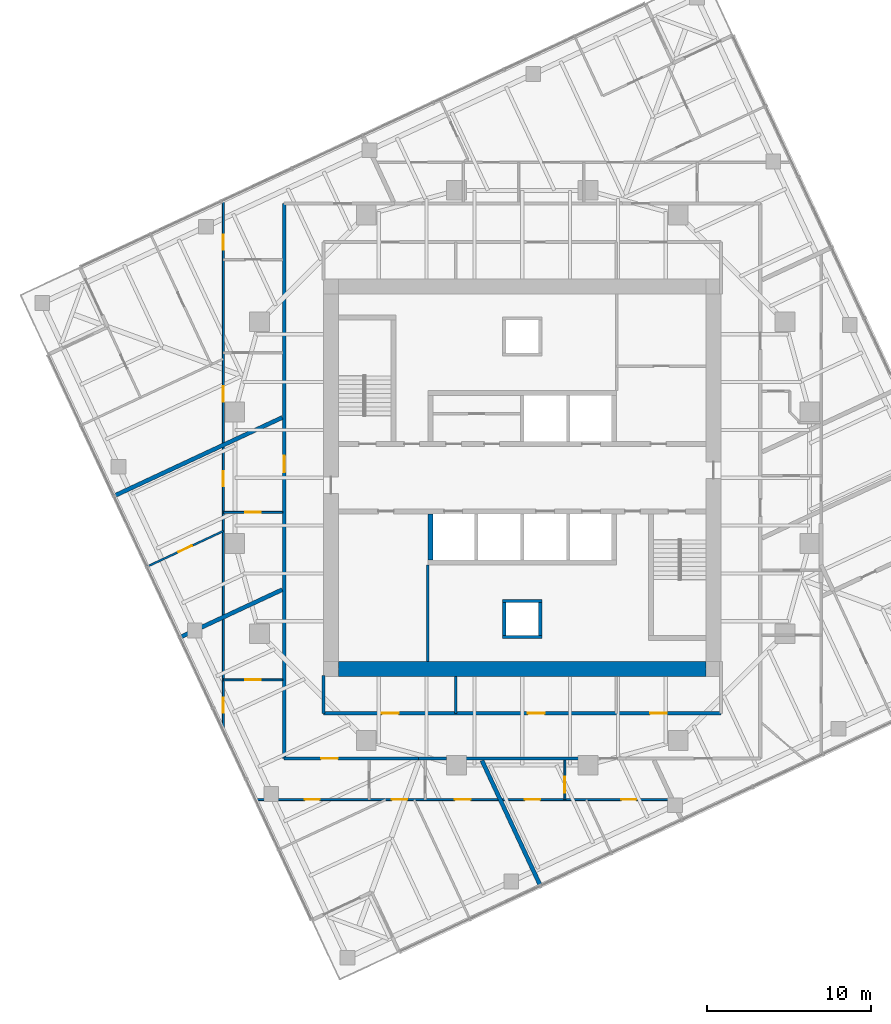
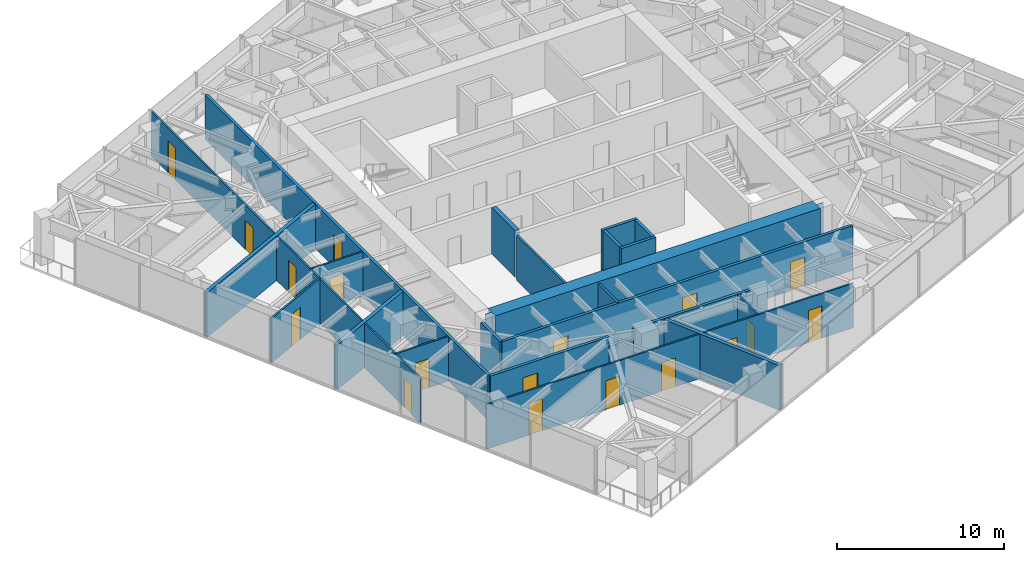
# One storey, part 7 of 13: 23 walls, 18 doors, 18 openings.
"""IFC4 building model written with IfcOpenShell, lengths in metres."""

from ifc_helpers import new_model, si_unit, direction, frame, frame_2d, origin, place, context, subcontext, project, spatial, polyline, rectangle, outline, extrude, material, layer, layer_set, type_object, element, fill, save


model = new_model("IFC4")

# Units and contexts
model_context = context("Model", 3, precision=1e-05, world=origin(), true_north=direction((0.0, 1.0)))
body_context = subcontext(model_context, "Body", "Model", "MODEL_VIEW")
ifc_project = project(units=[si_unit("LENGTHUNIT", "METRE"), si_unit("AREAUNIT", "SQUARE_METRE"), si_unit("VOLUMEUNIT", "CUBIC_METRE"), si_unit("PLANEANGLEUNIT", "RADIAN"), si_unit("MASSUNIT", "GRAM", prefix="KILO")], contexts=[model_context])

# Site, building, storey
site_placement = place(None, origin())
site = spatial("IfcSite", under=ifc_project, at=site_placement, CompositionType="ELEMENT")
building_placement = place(site_placement, origin())
building = spatial("IfcBuilding", under=site, at=building_placement, Name="Torsade Residences", CompositionType="ELEMENT")
storey_placement = place(building_placement, frame((0.0, 0.0, 196.39990234375)))
storey = spatial("IfcBuildingStorey", under=building, at=storey_placement, Name="L54", CompositionType="ELEMENT", Elevation=196.39990234375)

# Walls
ifc_material_1 = material(Name="Concrete 80 MPa", Category="concrete")
ifc_layer_1 = layer(ifc_material_1, 0.300048828125)
ifc_layer_set_1 = layer_set([ifc_layer_1], Name="Concrete 80 MPa")
wall_type_1 = type_object("IfcWallType", Name="CORE INTERNAL WALL 300", PredefinedType="SHEAR", material=ifc_layer_set_1)
wall_1_placement = place(storey_placement, frame((34.39990234375, 27.800048828125, 0.0), z_axis=(0.0, 0.0, 1.0), x_axis=(0.0, -1.0, 0.0)))
element("IfcWall", 1, at=wall_1_placement, inside=storey, type_object=wall_type_1, Name="Core wall DS4 L54", PredefinedType="SHEAR", context=body_context, shape_type="SweptSolid", body=[
    extrude(rectangle(XDim=2.800048828125, YDim=0.300048828125, at=frame_2d((1.39990234375, 0.0))), origin(), (0.0, 0.0, 1.0), 3.400146484375),
])
ifc_material_2 = material(Name="Concrete 80 MPa", Category="concrete")
ifc_layer_2 = layer(ifc_material_2, 0.89990234375)
ifc_layer_set_2 = layer_set([ifc_layer_2], Name="Concrete 80 MPa")
wall_type_2 = type_object("IfcWallType", Name="CORE WALL 900", PredefinedType="SHEAR", material=ifc_layer_set_2)
wall_2_placement = place(storey_placement, frame((51.199951171875, 18.35009765625, 0.0), z_axis=(0.0, 0.0, 1.0), x_axis=(-1.0, 0.0, 0.0)))
element("IfcWall", 2, at=wall_2_placement, inside=storey, type_object=wall_type_2, Name="Core wall S L54", PredefinedType="SHEAR", context=body_context, shape_type="SweptSolid", body=[
    extrude(outline(polyline([(0.0, -0.449951171875), (22.39990234375, -0.449951171875), (22.39990234375, -0.02490234375), (22.849853515625, -0.02490234375), (22.849853515625, 0.02490234375), (22.39990234375, 0.02490234375), (22.39990234375, 0.449951171875), (0.0, 0.449951171875), (0.0, 0.02490234375), (-0.449951171875, 0.02490234375), (-0.449951171875, -0.02490234375), (0.0, -0.02490234375), (0.0, -0.449951171875)])), origin(), (0.0, 0.0, 1.0), 3.400146484375),
])

# Wall, opening, door
ifc_material_3 = material(Name="Plasterboard on steel stud", Category="steel")
ifc_layer_3 = layer(ifc_material_3, 0.199951171875)
ifc_layer_set_3 = layer_set([ifc_layer_3], Name="Plasterboard on steel stud")
wall_type_3 = type_object("IfcWallType", Name="CORRIDOR WALL 200", PredefinedType="PARTITIONING", material=ifc_layer_set_3)
wall_3_placement = place(storey_placement, frame((25.5, 12.89990234375, 0.0), z_axis=(0.0, 0.0, 1.0), x_axis=(1.0, 0.0, 0.0)))
wall_3 = element("IfcWall", 3, at=wall_3_placement, inside=storey, type_object=wall_type_3, Name="Corridor wall L54", PredefinedType="PARTITIONING", context=body_context, shape_type="SweptSolid", body=[
    extrude(rectangle(XDim=8.191650390625, YDim=0.199951171875, at=frame_2d((4.095703125, 0.0))), origin(), (0.0, 0.0, 1.0), 3.25),
])
opening_1_placement = place(wall_3_placement, frame((2.253662109375, 0.0, 0.0)))
opening_1 = element("IfcOpeningElement", 4, at=opening_1_placement, cuts=wall_3, Name="Opening D01", PredefinedType="OPENING", context=body_context, shape_type="SweptSolid", body=[
    extrude(rectangle(XDim=1.02001953125, YDim=2.340087890625, at=frame_2d((0.510009765625, 1.169921875))), frame((0.0, 0.10986328125, 0.0), z_axis=(0.0, -1.0, 0.0), x_axis=(1.0, 0.0, 0.0)), (0.0, 0.0, 1.0), 0.219970703125),
])
ifc_material_4 = material(Name="Solid-core timber fire door", Category="wood")
door_type_1 = type_object("IfcDoorType", Name="APARTMENT ENTRY DOOR 1020x2340", OperationType="NOTDEFINED", PredefinedType="DOOR", material=ifc_material_4)
door_1_placement = place(opening_1_placement, origin())
door_1 = element("IfcDoor", 5, at=door_1_placement, inside=storey, type_object=door_type_1, Name="Door Residential corridor to Kitchen and dining", OperationType="SINGLE_SWING_LEFT", OverallHeight=2.340087890625, OverallWidth=1.02001953125, PredefinedType="DOOR", context=body_context, shape_type="SweptSolid", body=[
    extrude(rectangle(XDim=1.02001953125, YDim=2.340087890625, at=frame_2d((0.510009765625, 1.169921875))), frame((0.0, 0.02490234375, 0.0), z_axis=(0.0, -1.0, 0.0), x_axis=(1.0, 0.0, 0.0)), (0.0, 0.0, 1.0), 0.050048828125),
])
fill(opening_1, door_1)

# Walls
wall_4_placement = place(storey_placement, frame((33.691650390625, 12.89990234375, 0.0), z_axis=(0.0, 0.0, 1.0), x_axis=(1.0, 0.0, 0.0)))
element("IfcWall", 6, at=wall_4_placement, inside=storey, type_object=wall_type_3, Name="Corridor wall L54", PredefinedType="PARTITIONING", context=body_context, shape_type="SweptSolid", body=[
    extrude(rectangle(XDim=1.683349609375, YDim=0.199951171875, at=frame_2d((0.841796875, 0.0))), origin(), (0.0, 0.0, 1.0), 2.550048828125),
])
wall_5_placement = place(storey_placement, frame((35.375, 12.89990234375, 0.0), z_axis=(0.0, 0.0, 1.0), x_axis=(1.0, 0.0, 0.0)))
element("IfcWall", 7, at=wall_5_placement, inside=storey, type_object=wall_type_3, Name="Corridor wall L54", PredefinedType="PARTITIONING", context=body_context, shape_type="SweptSolid", body=[
    extrude(rectangle(XDim=9.25, YDim=0.199951171875, at=frame_2d((4.625, 0.0))), origin(), (0.0, 0.0, 1.0), 3.25),
])

# Wall, opening, door
wall_6_placement = place(storey_placement, frame((25.5, 46.699951171875, 0.0), z_axis=(0.0, 0.0, 1.0), x_axis=(0.0, -1.0, 0.0)))
wall_6 = element("IfcWall", 8, at=wall_6_placement, inside=storey, type_object=wall_type_3, Name="Corridor wall L54", PredefinedType="PARTITIONING", context=body_context, shape_type="SweptSolid", body=[
    extrude(rectangle(XDim=33.800048828125, YDim=0.199951171875, at=frame_2d((16.89990234375, 0.0))), origin(), (0.0, 0.0, 1.0), 3.25),
])
opening_2_placement = place(wall_6_placement, frame((15.34912109375, 0.0, 0.0)))
opening_2 = element("IfcOpeningElement", 9, at=opening_2_placement, cuts=wall_6, Name="Opening D01", PredefinedType="OPENING", context=body_context, shape_type="SweptSolid", body=[
    extrude(rectangle(XDim=1.02001953125, YDim=2.340087890625, at=frame_2d((0.510009765625, 1.169921875))), frame((0.0, 0.10986328125, 0.0), z_axis=(0.0, -1.0, 0.0), x_axis=(1.0, 0.0, 0.0)), (0.0, 0.0, 1.0), 0.219970703125),
])
door_2_placement = place(opening_2_placement, origin())
door_2 = element("IfcDoor", 10, at=door_2_placement, inside=storey, type_object=door_type_1, Name="Door Residential corridor to Kitchen and dining", OperationType="SINGLE_SWING_LEFT", OverallHeight=2.340087890625, OverallWidth=1.02001953125, PredefinedType="DOOR", context=body_context, shape_type="SweptSolid", body=[
    extrude(rectangle(XDim=1.02001953125, YDim=2.340087890625, at=frame_2d((0.510009765625, 1.169921875))), frame((0.0, 0.02490234375, 0.0), z_axis=(0.0, -1.0, 0.0), x_axis=(1.0, 0.0, 0.0)), (0.0, 0.0, 1.0), 0.050048828125),
])
fill(opening_2, door_2)

# Wall
wall_7_placement = place(storey_placement, frame((27.89990234375, 17.949951171875, 0.0), z_axis=(0.0, 0.0, 1.0), x_axis=(0.0, -1.0, 0.0)))
element("IfcWall", 11, at=wall_7_placement, inside=storey, type_object=wall_type_3, Name="Corridor wall L54", PredefinedType="PARTITIONING", context=body_context, shape_type="SweptSolid", body=[
    extrude(rectangle(XDim=2.300048828125, YDim=0.199951171875, at=frame_2d((1.14990234375, 0.0))), origin(), (0.0, 0.0, 1.0), 3.25),
])

# Wall, openings, doors
wall_8_placement = place(storey_placement, frame((27.89990234375, 15.64990234375, 0.0), z_axis=(0.0, 0.0, 1.0), x_axis=(1.0, 0.0, 0.0)))
wall_8 = element("IfcWall", 12, at=wall_8_placement, inside=storey, type_object=wall_type_3, Name="Corridor wall L54", PredefinedType="PARTITIONING", context=body_context, shape_type="SweptSolid", body=[
    extrude(rectangle(XDim=24.2001953125, YDim=0.199951171875, at=frame_2d((12.10009765625, 0.0))), origin(), (0.0, 0.0, 1.0), 3.25),
])
opening_3_placement = place(wall_8_placement, frame((12.43701171875, 0.0, 0.0)))
opening_3 = element("IfcOpeningElement", 13, at=opening_3_placement, cuts=wall_8, Name="Opening D03", PredefinedType="OPENING", context=body_context, shape_type="SweptSolid", body=[
    extrude(rectangle(XDim=1.02001953125, YDim=2.10009765625, at=frame_2d((0.510009765625, 1.050048828125))), frame((0.0, 0.10986328125, 0.0), z_axis=(0.0, -1.0, 0.0), x_axis=(1.0, 0.0, 0.0)), (0.0, 0.0, 1.0), 0.219970703125),
])
opening_4_placement = place(wall_8_placement, frame((3.544189453125, 0.0, 0.0)))
opening_4 = element("IfcOpeningElement", 14, at=opening_4_placement, cuts=wall_8, Name="Opening D03", PredefinedType="OPENING", context=body_context, shape_type="SweptSolid", body=[
    extrude(rectangle(XDim=1.02001953125, YDim=2.10009765625, at=frame_2d((0.510009765625, 1.050048828125))), frame((0.0, 0.10986328125, 0.0), z_axis=(0.0, -1.0, 0.0), x_axis=(1.0, 0.0, 0.0)), (0.0, 0.0, 1.0), 0.219970703125),
])
opening_5_placement = place(wall_8_placement, frame((19.8828125, 0.0, 0.0)))
opening_5 = element("IfcOpeningElement", 15, at=opening_5_placement, cuts=wall_8, Name="Opening D03", PredefinedType="OPENING", context=body_context, shape_type="SweptSolid", body=[
    extrude(rectangle(XDim=1.02001953125, YDim=2.10009765625, at=frame_2d((0.510009765625, 1.050048828125))), frame((0.0, 0.10986328125, 0.0), z_axis=(0.0, -1.0, 0.0), x_axis=(1.0, 0.0, 0.0)), (0.0, 0.0, 1.0), 0.219970703125),
])
ifc_material_5 = material(Name="Steel-framed fire door", Category="steel")
door_type_2 = type_object("IfcDoorType", Name="FIRE DOOR 1020", OperationType="NOTDEFINED", PredefinedType="DOOR", material=ifc_material_5)
door_3_placement = place(opening_3_placement, origin())
door_3 = element("IfcDoor", 16, at=door_3_placement, inside=storey, type_object=door_type_2, Name="Door Residential corridor to Bulk store", OperationType="SINGLE_SWING_RIGHT", OverallHeight=2.10009765625, OverallWidth=1.02001953125, PredefinedType="DOOR", context=body_context, shape_type="SweptSolid", body=[
    extrude(rectangle(XDim=1.02001953125, YDim=2.10009765625, at=frame_2d((0.510009765625, 1.050048828125))), frame((0.0, 0.02490234375, 0.0), z_axis=(0.0, -1.0, 0.0), x_axis=(1.0, 0.0, 0.0)), (0.0, 0.0, 1.0), 0.050048828125),
])
fill(opening_3, door_3)
door_4_placement = place(opening_4_placement, origin())
door_4 = element("IfcDoor", 17, at=door_4_placement, inside=storey, type_object=door_type_2, Name="Door Residential corridor to Residents storage", OperationType="SINGLE_SWING_RIGHT", OverallHeight=2.10009765625, OverallWidth=1.02001953125, PredefinedType="DOOR", context=body_context, shape_type="SweptSolid", body=[
    extrude(rectangle(XDim=1.02001953125, YDim=2.10009765625, at=frame_2d((0.510009765625, 1.050048828125))), frame((0.0, 0.02490234375, 0.0), z_axis=(0.0, -1.0, 0.0), x_axis=(1.0, 0.0, 0.0)), (0.0, 0.0, 1.0), 0.050048828125),
])
fill(opening_4, door_4)
door_5_placement = place(opening_5_placement, origin())
door_5 = element("IfcDoor", 18, at=door_5_placement, inside=storey, type_object=door_type_2, Name="Door Residential corridor to Parcel room", OperationType="SINGLE_SWING_LEFT", OverallHeight=2.10009765625, OverallWidth=1.02001953125, PredefinedType="DOOR", context=body_context, shape_type="SweptSolid", body=[
    extrude(rectangle(XDim=1.02001953125, YDim=2.10009765625, at=frame_2d((0.510009765625, 1.050048828125))), frame((0.0, 0.02490234375, 0.0), z_axis=(0.0, -1.0, 0.0), x_axis=(1.0, 0.0, 0.0)), (0.0, 0.0, 1.0), 0.050048828125),
])
fill(opening_5, door_5)

# Wall, opening, door
ifc_material_6 = material(Name="Plasterboard on steel stud", Category="steel")
ifc_layer_4 = layer(ifc_material_6, 0.1201171875)
ifc_layer_set_4 = layer_set([ifc_layer_4], Name="Plasterboard on steel stud")
wall_type_4 = type_object("IfcWallType", Name="PARTITION 120", PredefinedType="PARTITIONING", material=ifc_layer_set_4)
wall_9_placement = place(storey_placement, frame((25.39990234375, 27.888916015625, 0.0), z_axis=(0.0, 0.0, 1.0), x_axis=(-1.0, 0.0, 0.0)))
wall_9 = element("IfcWall", 19, at=wall_9_placement, inside=storey, type_object=wall_type_4, Name="Partition L54", PredefinedType="PARTITIONING", context=body_context, shape_type="SweptSolid", body=[
    extrude(rectangle(XDim=3.599853515625, YDim=0.1201171875, at=frame_2d((1.7998046875, 0.0))), origin(), (0.0, 0.0, 1.0), 3.25),
])
opening_6_placement = place(wall_9_placement, frame((1.320068359375, 0.0, 0.0)))
opening_6 = element("IfcOpeningElement", 20, at=opening_6_placement, cuts=wall_9, Name="Opening D05", PredefinedType="OPENING", context=body_context, shape_type="SweptSolid", body=[
    extrude(rectangle(XDim=0.9599609375, YDim=2.10009765625, at=frame_2d((0.47998046875, 1.050048828125))), frame((0.0, 0.070068359375, 0.0), z_axis=(0.0, -1.0, 0.0), x_axis=(1.0, 0.0, 0.0)), (0.0, 0.0, 1.0), 0.14013671875),
])
ifc_material_7 = material(Name="Hollow-core timber door in a steel cavity frame", Category="steel")
door_type_3 = type_object("IfcDoorType", Name="BATHROOM CAVITY SLIDING DOOR 960", OperationType="SLIDING_TO_LEFT", PredefinedType="DOOR", material=ifc_material_7)
door_6_placement = place(opening_6_placement, origin())
door_6 = element("IfcDoor", 21, at=door_6_placement, inside=storey, type_object=door_type_3, Name="Door Kitchen and dining to Bathroom", OperationType="SLIDING_TO_LEFT", OverallHeight=2.10009765625, OverallWidth=0.9599609375, PredefinedType="DOOR", context=body_context, shape_type="SweptSolid", body=[
    extrude(rectangle(XDim=0.9599609375, YDim=2.10009765625, at=frame_2d((0.47998046875, 1.050048828125))), frame((0.0, 0.02490234375, 0.0), z_axis=(0.0, -1.0, 0.0), x_axis=(1.0, 0.0, 0.0)), (0.0, 0.0, 1.0), 0.050048828125),
])
fill(opening_6, door_6)

# Wall, openings, doors
wall_10_placement = place(storey_placement, frame((21.800048828125, 14.6474609375, 0.0), z_axis=(0.0, 0.0, 1.0), x_axis=(0.0, 1.0, 0.0)))
wall_10 = element("IfcWall", 22, at=wall_10_placement, inside=storey, type_object=wall_type_4, Name="Partition L54", PredefinedType="PARTITIONING", context=body_context, shape_type="SweptSolid", body=[
    extrude(rectangle(XDim=32.19921875, YDim=0.1201171875, at=frame_2d((16.099609375, 0.0))), origin(), (0.0, 0.0, 1.0), 3.25),
])
opening_7_placement = place(wall_10_placement, frame((29.23095703125, 0.0, 0.0)))
opening_7 = element("IfcOpeningElement", 23, at=opening_7_placement, cuts=wall_10, Name="Opening D02", PredefinedType="OPENING", context=body_context, shape_type="SweptSolid", body=[
    extrude(rectangle(XDim=0.919921875, YDim=2.340087890625, at=frame_2d((0.4599609375, 1.169921875))), frame((0.0, 0.070068359375, 0.0), z_axis=(0.0, -1.0, 0.0), x_axis=(1.0, 0.0, 0.0)), (0.0, 0.0, 1.0), 0.14013671875),
])
opening_8_placement = place(wall_10_placement, frame((14.834716796875, 0.0, 0.0)))
opening_8 = element("IfcOpeningElement", 24, at=opening_8_placement, cuts=wall_10, Name="Opening D02", PredefinedType="OPENING", context=body_context, shape_type="SweptSolid", body=[
    extrude(rectangle(XDim=0.919921875, YDim=2.340087890625, at=frame_2d((0.4599609375, 1.169921875))), frame((0.0, 0.070068359375, 0.0), z_axis=(0.0, -1.0, 0.0), x_axis=(1.0, 0.0, 0.0)), (0.0, 0.0, 1.0), 0.14013671875),
])
opening_9_placement = place(wall_10_placement, frame((1.041259765625, 0.0, 0.0)))
opening_9 = element("IfcOpeningElement", 25, at=opening_9_placement, cuts=wall_10, Name="Opening D02L", PredefinedType="OPENING", context=body_context, shape_type="SweptSolid", body=[
    extrude(rectangle(XDim=0.919921875, YDim=2.10009765625, at=frame_2d((0.4599609375, 1.050048828125))), frame((0.0, 0.070068359375, 0.0), z_axis=(0.0, -1.0, 0.0), x_axis=(1.0, 0.0, 0.0)), (0.0, 0.0, 1.0), 0.14013671875),
])
opening_10_placement = place(wall_10_placement, frame((19.971435546875, 0.0, 0.0)))
opening_10 = element("IfcOpeningElement", 26, at=opening_10_placement, cuts=wall_10, Name="Opening D05", PredefinedType="OPENING", context=body_context, shape_type="SweptSolid", body=[
    extrude(rectangle(XDim=0.9599609375, YDim=2.10009765625, at=frame_2d((0.47998046875, 1.050048828125))), frame((0.0, 0.070068359375, 0.0), z_axis=(0.0, -1.0, 0.0), x_axis=(1.0, 0.0, 0.0)), (0.0, 0.0, 1.0), 0.14013671875),
])
door_7_placement = place(opening_10_placement, origin())
door_7 = element("IfcDoor", 27, at=door_7_placement, inside=storey, type_object=door_type_3, Name="Door Ensuite to Bedroom 1", OperationType="SLIDING_TO_LEFT", OverallHeight=2.10009765625, OverallWidth=0.9599609375, PredefinedType="DOOR", context=body_context, shape_type="SweptSolid", body=[
    extrude(rectangle(XDim=0.9599609375, YDim=2.10009765625, at=frame_2d((0.47998046875, 1.050048828125))), frame((0.0, 0.02490234375, 0.0), z_axis=(0.0, -1.0, 0.0), x_axis=(1.0, 0.0, 0.0)), (0.0, 0.0, 1.0), 0.050048828125),
])
fill(opening_10, door_7)
ifc_material_8 = material(Name="Hollow-core timber door", Category="wood")
door_type_4 = type_object("IfcDoorType", Name="INTERNAL DOOR 920x2100", OperationType="NOTDEFINED", PredefinedType="DOOR", material=ifc_material_8)
door_8_placement = place(opening_9_placement, origin())
door_8 = element("IfcDoor", 28, at=door_8_placement, inside=storey, type_object=door_type_4, Name="Door Kitchen and dining to Bedroom 3", OperationType="SINGLE_SWING_LEFT", OverallHeight=2.10009765625, OverallWidth=0.919921875, PredefinedType="DOOR", context=body_context, shape_type="SweptSolid", body=[
    extrude(rectangle(XDim=0.919921875, YDim=2.10009765625, at=frame_2d((0.4599609375, 1.050048828125))), frame((0.0, 0.02490234375, 0.0), z_axis=(0.0, -1.0, 0.0), x_axis=(1.0, 0.0, 0.0)), (0.0, 0.0, 1.0), 0.050048828125),
])
fill(opening_9, door_8)
ifc_material_9 = material(Name="Hollow-core timber door", Category="wood")
door_type_5 = type_object("IfcDoorType", Name="INTERNAL DOOR 920x2340", OperationType="NOTDEFINED", PredefinedType="DOOR", material=ifc_material_9)
door_9_placement = place(opening_7_placement, origin())
door_9 = element("IfcDoor", 29, at=door_9_placement, inside=storey, type_object=door_type_5, Name="Door Kitchen and dining to Bedroom 2", OperationType="SINGLE_SWING_RIGHT", OverallHeight=2.340087890625, OverallWidth=0.919921875, PredefinedType="DOOR", context=body_context, shape_type="SweptSolid", body=[
    extrude(rectangle(XDim=0.919921875, YDim=2.340087890625, at=frame_2d((0.4599609375, 1.169921875))), frame((0.0, 0.02490234375, 0.0), z_axis=(0.0, -1.0, 0.0), x_axis=(1.0, 0.0, 0.0)), (0.0, 0.0, 1.0), 0.050048828125),
])
fill(opening_7, door_9)
door_10_placement = place(opening_8_placement, origin())
door_10 = element("IfcDoor", 30, at=door_10_placement, inside=storey, type_object=door_type_5, Name="Door Kitchen and dining to Living room", OperationType="SINGLE_SWING_RIGHT", OverallHeight=2.340087890625, OverallWidth=0.919921875, PredefinedType="DOOR", context=body_context, shape_type="SweptSolid", body=[
    extrude(rectangle(XDim=0.919921875, YDim=2.340087890625, at=frame_2d((0.4599609375, 1.169921875))), frame((0.0, 0.02490234375, 0.0), z_axis=(0.0, -1.0, 0.0), x_axis=(1.0, 0.0, 0.0)), (0.0, 0.0, 1.0), 0.050048828125),
])
fill(opening_8, door_10)

# Wall, opening, door
wall_11_placement = place(storey_placement, frame((21.800048828125, 26.754150390625, 0.0), z_axis=(0.0, 0.0, 1.0), x_axis=(-0.906306780958, -0.422620419278, 0.0)))
wall_11 = element("IfcWall", 31, at=wall_11_placement, inside=storey, type_object=wall_type_4, Name="Partition L54", PredefinedType="PARTITIONING", context=body_context, shape_type="SweptSolid", body=[
    extrude(rectangle(XDim=5.093505859375, YDim=0.1201171875, at=frame_2d((2.546875, 0.0))), origin(), (0.0, 0.0, 1.0), 3.25),
])
opening_11_placement = place(wall_11_placement, frame((2.106689453125, 0.0, 0.0)))
opening_11 = element("IfcOpeningElement", 32, at=opening_11_placement, cuts=wall_11, Name="Opening D02", PredefinedType="OPENING", context=body_context, shape_type="SweptSolid", body=[
    extrude(rectangle(XDim=0.919921875, YDim=2.340087890625, at=frame_2d((0.4599609375, 1.169921875))), frame((0.0, 0.070068359375, 0.0), z_axis=(0.0, -1.0, 0.0), x_axis=(1.0, 0.0, 0.0)), (0.0, 0.0, 1.0), 0.14013671875),
])
door_11_placement = place(opening_11_placement, origin())
door_11 = element("IfcDoor", 33, at=door_11_placement, inside=storey, type_object=door_type_5, Name="Door Living room to Bedroom 1", OperationType="SINGLE_SWING_LEFT", OverallHeight=2.340087890625, OverallWidth=0.919921875, PredefinedType="DOOR", context=body_context, shape_type="SweptSolid", body=[
    extrude(rectangle(XDim=0.919921875, YDim=2.340087890625, at=frame_2d((0.4599609375, 1.169921875))), frame((0.0, 0.02490234375, 0.0), z_axis=(0.0, -1.0, 0.0), x_axis=(1.0, 0.0, 0.0)), (0.0, 0.0, 1.0), 0.050048828125),
])
fill(opening_11, door_11)

wall_12_placement = place(storey_placement, frame((21.800048828125, 17.689697265625, 0.0), z_axis=(0.0, 0.0, 1.0), x_axis=(1.0, 0.0, 0.0)))
wall_12 = element("IfcWall", 34, at=wall_12_placement, inside=storey, type_object=wall_type_4, Name="Partition L54", PredefinedType="PARTITIONING", context=body_context, shape_type="SweptSolid", body=[
    extrude(rectangle(XDim=3.599853515625, YDim=0.1201171875, at=frame_2d((1.7998046875, 0.0))), origin(), (0.0, 0.0, 1.0), 3.25),
])
opening_12_placement = place(wall_12_placement, frame((1.320068359375, 0.0, 0.0)))
opening_12 = element("IfcOpeningElement", 35, at=opening_12_placement, cuts=wall_12, Name="Opening D05", PredefinedType="OPENING", context=body_context, shape_type="SweptSolid", body=[
    extrude(rectangle(XDim=0.9599609375, YDim=2.10009765625, at=frame_2d((0.47998046875, 1.050048828125))), frame((0.0, 0.070068359375, 0.0), z_axis=(0.0, -1.0, 0.0), x_axis=(1.0, 0.0, 0.0)), (0.0, 0.0, 1.0), 0.14013671875),
])
door_12_placement = place(opening_12_placement, origin())
door_12 = element("IfcDoor", 36, at=door_12_placement, inside=storey, type_object=door_type_3, Name="Door Kitchen and dining to Bathroom", OperationType="SLIDING_TO_LEFT", OverallHeight=2.10009765625, OverallWidth=0.9599609375, PredefinedType="DOOR", context=body_context, shape_type="SweptSolid", body=[
    extrude(rectangle(XDim=0.9599609375, YDim=2.10009765625, at=frame_2d((0.47998046875, 1.050048828125))), frame((0.0, 0.02490234375, 0.0), z_axis=(0.0, -1.0, 0.0), x_axis=(1.0, 0.0, 0.0)), (0.0, 0.0, 1.0), 0.050048828125),
])
fill(opening_12, door_12)

# Wall, openings, doors
wall_13_placement = place(storey_placement, frame((49.1396484375, 10.39990234375, 0.0), z_axis=(0.0, 0.0, 1.0), x_axis=(-1.0, 0.0, 0.0)))
wall_13 = element("IfcWall", 37, at=wall_13_placement, inside=storey, type_object=wall_type_4, Name="Partition L54", PredefinedType="PARTITIONING", context=body_context, shape_type="SweptSolid", body=[
    extrude(rectangle(XDim=25.33349609375, YDim=0.1201171875, at=frame_2d((12.666748046875, 0.0))), origin(), (0.0, 0.0, 1.0), 3.25),
])
opening_13_placement = place(wall_13_placement, frame((2.18798828125, 0.0, 0.0)))
opening_13 = element("IfcOpeningElement", 38, at=opening_13_placement, cuts=wall_13, Name="Opening D02", PredefinedType="OPENING", context=body_context, shape_type="SweptSolid", body=[
    extrude(rectangle(XDim=0.919921875, YDim=2.340087890625, at=frame_2d((0.4599609375, 1.169921875))), frame((0.0, 0.070068359375, 0.0), z_axis=(0.0, -1.0, 0.0), x_axis=(1.0, 0.0, 0.0)), (0.0, 0.0, 1.0), 0.14013671875),
])
opening_14_placement = place(wall_13_placement, frame((21.4599609375, 0.0, 0.0)))
opening_14 = element("IfcOpeningElement", 39, at=opening_14_placement, cuts=wall_13, Name="Opening D02", PredefinedType="OPENING", context=body_context, shape_type="SweptSolid", body=[
    extrude(rectangle(XDim=0.919921875, YDim=2.340087890625, at=frame_2d((0.4599609375, 1.169921875))), frame((0.0, 0.070068359375, 0.0), z_axis=(0.0, -1.0, 0.0), x_axis=(1.0, 0.0, 0.0)), (0.0, 0.0, 1.0), 0.14013671875),
])
opening_15_placement = place(wall_13_placement, frame((8.034912109375, 0.0, 0.0)))
opening_15 = element("IfcOpeningElement", 40, at=opening_15_placement, cuts=wall_13, Name="Opening D05", PredefinedType="OPENING", context=body_context, shape_type="SweptSolid", body=[
    extrude(rectangle(XDim=0.9599609375, YDim=2.10009765625, at=frame_2d((0.47998046875, 1.050048828125))), frame((0.0, 0.070068359375, 0.0), z_axis=(0.0, -1.0, 0.0), x_axis=(1.0, 0.0, 0.0)), (0.0, 0.0, 1.0), 0.14013671875),
])
opening_16_placement = place(wall_13_placement, frame((16.139892578125, 0.0, 0.0)))
opening_16 = element("IfcOpeningElement", 41, at=opening_16_placement, cuts=wall_13, Name="Opening D05", PredefinedType="OPENING", context=body_context, shape_type="SweptSolid", body=[
    extrude(rectangle(XDim=0.9599609375, YDim=2.10009765625, at=frame_2d((0.47998046875, 1.050048828125))), frame((0.0, 0.070068359375, 0.0), z_axis=(0.0, -1.0, 0.0), x_axis=(1.0, 0.0, 0.0)), (0.0, 0.0, 1.0), 0.14013671875),
])
opening_17_placement = place(wall_13_placement, frame((12.282958984375, 0.0, 0.0)))
opening_17 = element("IfcOpeningElement", 42, at=opening_17_placement, cuts=wall_13, Name="Opening D05", PredefinedType="OPENING", context=body_context, shape_type="SweptSolid", body=[
    extrude(rectangle(XDim=0.9599609375, YDim=2.10009765625, at=frame_2d((0.47998046875, 1.050048828125))), frame((0.0, 0.070068359375, 0.0), z_axis=(0.0, -1.0, 0.0), x_axis=(1.0, 0.0, 0.0)), (0.0, 0.0, 1.0), 0.14013671875),
])
door_13_placement = place(opening_15_placement, origin())
door_13 = element("IfcDoor", 43, at=door_13_placement, inside=storey, type_object=door_type_3, Name="Door Bathroom to Living room", OperationType="SLIDING_TO_LEFT", OverallHeight=2.10009765625, OverallWidth=0.9599609375, PredefinedType="DOOR", context=body_context, shape_type="SweptSolid", body=[
    extrude(rectangle(XDim=0.9599609375, YDim=2.10009765625, at=frame_2d((0.47998046875, 1.050048828125))), frame((0.0, 0.02490234375, 0.0), z_axis=(0.0, -1.0, 0.0), x_axis=(1.0, 0.0, 0.0)), (0.0, 0.0, 1.0), 0.050048828125),
])
fill(opening_15, door_13)
door_14_placement = place(opening_16_placement, origin())
door_14 = element("IfcDoor", 44, at=door_14_placement, inside=storey, type_object=door_type_3, Name="Door Laundry to Living room", OperationType="SLIDING_TO_LEFT", OverallHeight=2.10009765625, OverallWidth=0.9599609375, PredefinedType="DOOR", context=body_context, shape_type="SweptSolid", body=[
    extrude(rectangle(XDim=0.9599609375, YDim=2.10009765625, at=frame_2d((0.47998046875, 1.050048828125))), frame((0.0, 0.02490234375, 0.0), z_axis=(0.0, -1.0, 0.0), x_axis=(1.0, 0.0, 0.0)), (0.0, 0.0, 1.0), 0.050048828125),
])
fill(opening_16, door_14)
door_15_placement = place(opening_17_placement, origin())
door_15 = element("IfcDoor", 45, at=door_15_placement, inside=storey, type_object=door_type_3, Name="Door Ensuite to Bedroom 1", OperationType="SLIDING_TO_LEFT", OverallHeight=2.10009765625, OverallWidth=0.9599609375, PredefinedType="DOOR", context=body_context, shape_type="SweptSolid", body=[
    extrude(rectangle(XDim=0.9599609375, YDim=2.10009765625, at=frame_2d((0.47998046875, 1.050048828125))), frame((0.0, 0.02490234375, 0.0), z_axis=(0.0, -1.0, 0.0), x_axis=(1.0, 0.0, 0.0)), (0.0, 0.0, 1.0), 0.050048828125),
])
fill(opening_17, door_15)
door_16_placement = place(opening_13_placement, origin())
door_16 = element("IfcDoor", 46, at=door_16_placement, inside=storey, type_object=door_type_5, Name="Door Kitchen and dining to Bedroom 1", OperationType="SINGLE_SWING_LEFT", OverallHeight=2.340087890625, OverallWidth=0.919921875, PredefinedType="DOOR", context=body_context, shape_type="SweptSolid", body=[
    extrude(rectangle(XDim=0.919921875, YDim=2.340087890625, at=frame_2d((0.4599609375, 1.169921875))), frame((0.0, 0.02490234375, 0.0), z_axis=(0.0, -1.0, 0.0), x_axis=(1.0, 0.0, 0.0)), (0.0, 0.0, 1.0), 0.050048828125),
])
fill(opening_13, door_16)
door_17_placement = place(opening_14_placement, origin())
door_17 = element("IfcDoor", 47, at=door_17_placement, inside=storey, type_object=door_type_5, Name="Door Kitchen and dining to Bedroom 2", OperationType="SINGLE_SWING_LEFT", OverallHeight=2.340087890625, OverallWidth=0.919921875, PredefinedType="DOOR", context=body_context, shape_type="SweptSolid", body=[
    extrude(rectangle(XDim=0.919921875, YDim=2.340087890625, at=frame_2d((0.4599609375, 1.169921875))), frame((0.0, 0.02490234375, 0.0), z_axis=(0.0, -1.0, 0.0), x_axis=(1.0, 0.0, 0.0)), (0.0, 0.0, 1.0), 0.050048828125),
])
fill(opening_14, door_17)

# Wall, opening, door
wall_14_placement = place(storey_placement, frame((42.591796875, 10.39990234375, 0.0), z_axis=(0.0, 0.0, 1.0), x_axis=(0.0, 1.0, 0.0)))
wall_14 = element("IfcWall", 48, at=wall_14_placement, inside=storey, type_object=wall_type_4, Name="Partition L54", PredefinedType="PARTITIONING", context=body_context, shape_type="SweptSolid", body=[
    extrude(rectangle(XDim=2.400146484375, YDim=0.1201171875, at=frame_2d((1.2001953125, 0.0))), origin(), (0.0, 0.0, 1.0), 3.25),
])
opening_18_placement = place(wall_14_placement, frame((0.419921875, 0.0, 0.0)))
opening_18 = element("IfcOpeningElement", 49, at=opening_18_placement, cuts=wall_14, Name="Opening D05", PredefinedType="OPENING", context=body_context, shape_type="SweptSolid", body=[
    extrude(rectangle(XDim=0.9599609375, YDim=2.10009765625, at=frame_2d((0.47998046875, 1.050048828125))), frame((0.0, 0.070068359375, 0.0), z_axis=(0.0, -1.0, 0.0), x_axis=(1.0, 0.0, 0.0)), (0.0, 0.0, 1.0), 0.14013671875),
])
door_18_placement = place(opening_18_placement, origin())
door_18 = element("IfcDoor", 50, at=door_18_placement, inside=storey, type_object=door_type_3, Name="Door Kitchen and dining to Bathroom", OperationType="SLIDING_TO_LEFT", OverallHeight=2.10009765625, OverallWidth=0.9599609375, PredefinedType="DOOR", context=body_context, shape_type="SweptSolid", body=[
    extrude(rectangle(XDim=0.9599609375, YDim=2.10009765625, at=frame_2d((0.47998046875, 1.050048828125))), frame((0.0, 0.02490234375, 0.0), z_axis=(0.0, -1.0, 0.0), x_axis=(1.0, 0.0, 0.0)), (0.0, 0.0, 1.0), 0.050048828125),
])
fill(opening_18, door_18)

# Walls
ifc_material_10 = material(Name="Masonry-lined stud party wall", Category="masonry")
ifc_layer_5 = layer(ifc_material_10, 0.25)
ifc_layer_set_5 = layer_set([ifc_layer_5], Name="Masonry-lined stud party wall")
wall_type_5 = type_object("IfcWallType", Name="PARTY WALL 250", PredefinedType="PARTITIONING", material=ifc_layer_set_5)
wall_15_placement = place(storey_placement, frame((19.155029296875, 20.27978515625, 0.0), z_axis=(0.0, 0.0, 1.0), x_axis=(0.90631378723, 0.422605394046, 0.0)))
element("IfcWall", 51, at=wall_15_placement, inside=storey, type_object=wall_type_5, Name="Party wall L54", PredefinedType="PARTITIONING", context=body_context, shape_type="SweptSolid", body=[
    extrude(rectangle(XDim=6.872314453125, YDim=0.25, at=frame_2d((3.43603515625, 0.0))), origin(), (0.0, 0.0, 1.0), 3.25),
])
wall_16_placement = place(storey_placement, frame((15.14013671875, 28.8896484375, 0.0), z_axis=(0.0, 0.0, 1.0), x_axis=(0.906306714884, 0.422620560972, 0.0)))
element("IfcWall", 52, at=wall_16_placement, inside=storey, type_object=wall_type_5, Name="Party wall L54", PredefinedType="PARTITIONING", context=body_context, shape_type="SweptSolid", body=[
    extrude(rectangle(XDim=11.30224609375, YDim=0.25, at=frame_2d((5.651123046875, 0.0))), origin(), (0.0, 0.0, 1.0), 3.25),
])
wall_17_placement = place(storey_placement, frame((41.1103515625, 5.14013671875, 0.0), z_axis=(0.0, 0.0, 1.0), x_axis=(-0.422625541416, 0.906304392433, 0.0)))
element("IfcWall", 53, at=wall_17_placement, inside=storey, type_object=wall_type_5, Name="Party wall L54", PredefinedType="PARTITIONING", context=body_context, shape_type="SweptSolid", body=[
    extrude(rectangle(XDim=8.43359375, YDim=0.25, at=frame_2d((4.216796875, 0.0))), origin(), (0.0, 0.0, 1.0), 3.25),
])
ifc_material_11 = material(Name="Reinforced blockwork", Category="masonry")
ifc_layer_6 = layer(ifc_material_11, 0.199951171875)
ifc_layer_set_6 = layer_set([ifc_layer_6], Name="Reinforced blockwork")
wall_type_6 = type_object("IfcWallType", Name="RISER SHAFT WALL 200", PredefinedType="SOLIDWALL", material=ifc_layer_set_6)
for number, where, z_axis, x_axis, name in (
    (54, (38.89990234375, 22.39990234375, 0.0), (0.0, 0.0, 1.0), (0.0, -1.0, 0.0), "Core wall RS2a L54"),
    (55, (41.10009765625, 22.39990234375, 0.0), (0.0, 0.0, 1.0), (0.0, -1.0, 0.0), "Core wall RS2b L54"),
):
    element("IfcWall", number, at=place(storey_placement, frame(where, z_axis=z_axis, x_axis=x_axis)), inside=storey, type_object=wall_type_6, Name=name, PredefinedType="SOLIDWALL", context=body_context, shape_type="SweptSolid", body=[
        extrude(rectangle(XDim=2.0, YDim=0.199951171875, at=frame_2d((1.0, 0.0))), origin(), (0.0, 0.0, 1.0), 3.400146484375),
    ])
for number, where, z_axis, x_axis, name in (
    (56, (38.800048828125, 22.5, 0.0), (0.0, 0.0, 1.0), (1.0, 0.0, 0.0), "Core wall RS2c L54"),
    (57, (38.800048828125, 20.300048828125, 0.0), (0.0, 0.0, 1.0), (1.0, 0.0, 0.0), "Core wall RS2d L54"),
):
    element("IfcWall", number, at=place(storey_placement, frame(where, z_axis=z_axis, x_axis=x_axis)), inside=storey, type_object=wall_type_6, Name=name, PredefinedType="SOLIDWALL", context=body_context, shape_type="SweptSolid", body=[
        extrude(rectangle(XDim=2.39990234375, YDim=0.199951171875, at=frame_2d((1.199951171875, 0.0))), origin(), (0.0, 0.0, 1.0), 3.400146484375),
    ])
ifc_material_12 = material(Name="Reinforced blockwork", Category="masonry")
ifc_layer_7 = layer(ifc_material_12, 0.14990234375)
ifc_layer_set_7 = layer_set([ifc_layer_7], Name="Reinforced blockwork")
wall_type_7 = type_object("IfcWallType", Name="SERVICE ROOM WALL 150", PredefinedType="SOLIDWALL", material=ifc_layer_set_7)
wall_18_placement = place(storey_placement, frame((34.25, 18.800048828125, 0.0), z_axis=(0.0, 0.0, 1.0), x_axis=(0.0, 1.0, 0.0)))
element("IfcWall", 58, at=wall_18_placement, inside=storey, type_object=wall_type_7, Name="Service room wall L54", PredefinedType="SOLIDWALL", context=body_context, shape_type="SweptSolid", body=[
    extrude(rectangle(XDim=5.89990234375, YDim=0.14990234375, at=frame_2d((2.949951171875, 0.0))), origin(), (0.0, 0.0, 1.0), 3.25),
])
wall_19_placement = place(storey_placement, frame((35.95849609375, 15.64990234375, 0.0), z_axis=(0.0, 0.0, 1.0), x_axis=(0.0, 1.0, 0.0)))
element("IfcWall", 59, at=wall_19_placement, inside=storey, type_object=wall_type_7, Name="Service room wall L54", PredefinedType="SOLIDWALL", context=body_context, shape_type="SweptSolid", body=[
    extrude(rectangle(XDim=2.25, YDim=0.14990234375, at=frame_2d((1.125, 0.0))), origin(), (0.0, 0.0, 1.0), 3.25),
])

save(model, "model.ifc")
